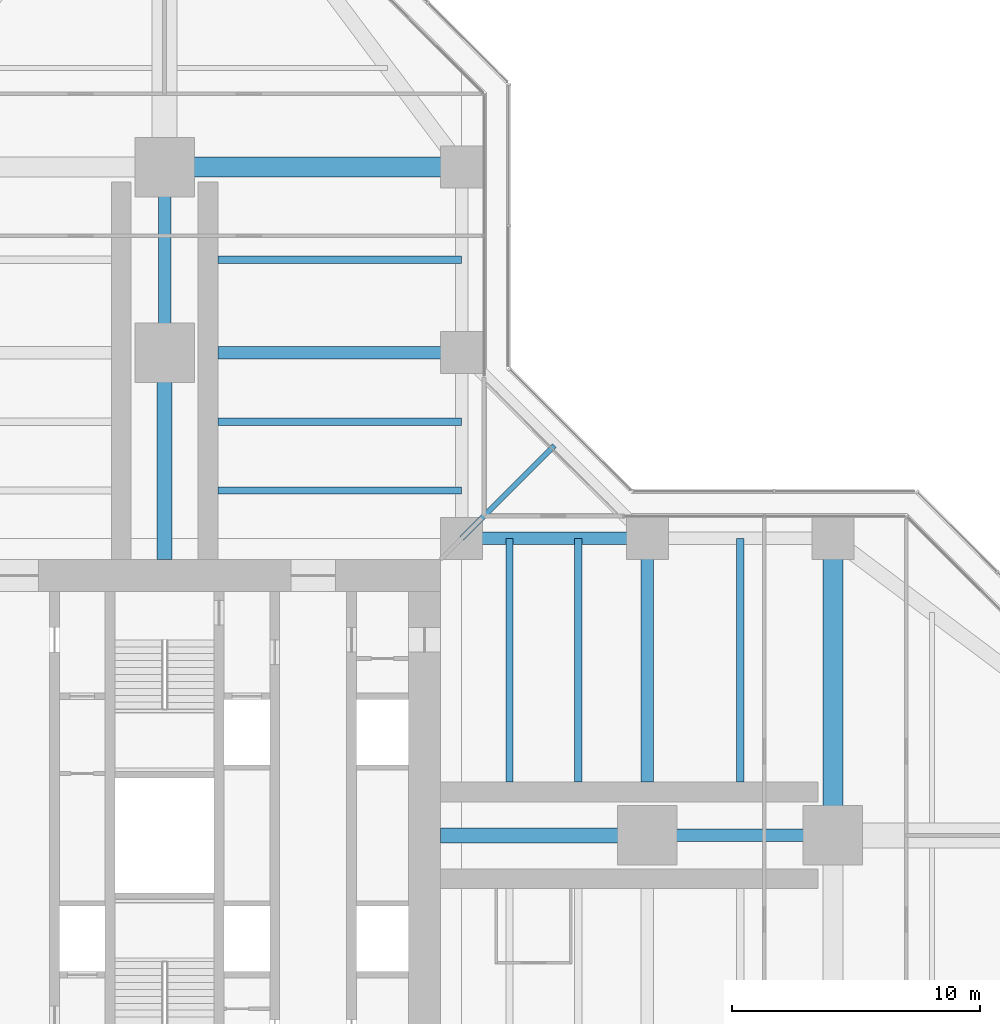
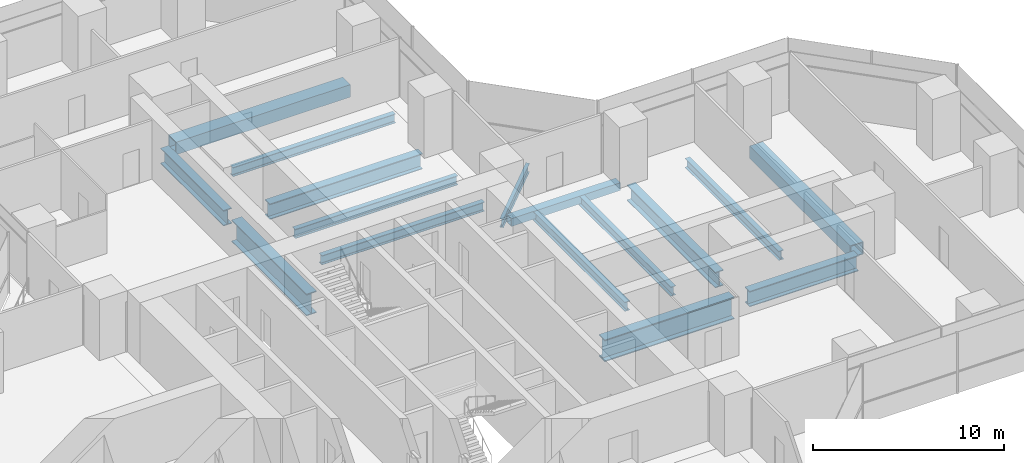
# One storey, part 10 of 22: 16 beams.
"""IFC4 building model written with IfcOpenShell, lengths in metres."""

import ifcopenshell
import ifcopenshell.guid

model = None  # the IFC model being written
_history = None  # IfcOwnerHistory: only IFC2X3 demands one
_inside = {}  # id of a spatial element -> (the spatial element, [elements in it])
_under = {}  # id of a project, library or spatial element -> (it, [spatial elements below it])
_declared = {}  # id of a project -> (the project, [libraries it declares])
_typed = {}  # id of a type object -> (the type object, [elements of that type])
_made_of = {}  # id of a material, layer set ... -> (it, [elements and type objects made of it])


def new_model(schema):
    """Start an empty IFC model of exactly this schema.

    Asked for "IFC4X3", IfcOpenShell would pick the latest addendum, in which some entities
    have other attributes; the version numbers below select the first issue.
    IFC2X3 requires an IfcOwnerHistory on every rooted entity: one is made here for all.
    """
    global model, _history
    if schema == "IFC4X3":
        model = ifcopenshell.file(schema_version=(4, 3, 0, 0))
    else:
        model = ifcopenshell.file(schema=schema)
    _inside.clear()
    _under.clear()
    _declared.clear()
    _typed.clear()
    _made_of.clear()
    _history = None
    if model.schema == "IFC2X3":
        org = make("IfcOrganization", Name="unknown")
        user = make(
            "IfcPersonAndOrganization",
            ThePerson=make("IfcPerson", FamilyName="unknown"),
            TheOrganization=org,
        )
        app = make(
            "IfcApplication",
            ApplicationDeveloper=org,
            Version="unknown",
            ApplicationFullName="unknown",
            ApplicationIdentifier="unknown",
        )
        _history = make(
            "IfcOwnerHistory",
            OwningUser=user,
            OwningApplication=app,
            ChangeAction="ADDED",
            CreationDate=0,
        )
    return model


def make(cls, **values):
    """One entity of the class cls with the attributes given. An attribute that is None is left unset."""
    return model.create_entity(
        cls, **{name: value for name, value in values.items() if value is not None}
    )


def rooted(cls, **values):
    """An entity with a GlobalId (a new one), such as an element, a storey or a relation."""
    return make(cls, GlobalId=ifcopenshell.guid.new(), OwnerHistory=_history, **values)


def si_unit(unit_type, name, prefix=None):
    """IfcSIUnit, for example si_unit("LENGTHUNIT", "METRE", prefix="MILLI")."""
    return make("IfcSIUnit", UnitType=unit_type, Prefix=prefix, Name=name)


def assignment(units):
    """IfcUnitAssignment: the units of a project."""
    return None if units is None else make("IfcUnitAssignment", Units=units)


def point(xyz):
    """IfcCartesianPoint."""
    return None if xyz is None else make("IfcCartesianPoint", Coordinates=xyz)


def direction(xyz):
    """IfcDirection."""
    return None if xyz is None else make("IfcDirection", DirectionRatios=xyz)


def frame(location, z_axis=None, x_axis=None):
    """IfcAxis2Placement3D, a coordinate frame: its origin and axes. An axis left out is left unset."""
    return make(
        "IfcAxis2Placement3D",
        Location=point(location),
        Axis=direction(z_axis),
        RefDirection=direction(x_axis),
    )


def frame_2d(location, x_axis=None):
    """IfcAxis2Placement2D, a coordinate frame in the plane: its origin and x axis."""
    return make(
        "IfcAxis2Placement2D", Location=point(location), RefDirection=direction(x_axis)
    )


def origin():
    """The frame at (0, 0, 0) with its axes left unset."""
    return frame((0.0, 0.0, 0.0))


def origin_2d():
    """The frame at (0, 0) in the plane with its x axis left unset."""
    return frame_2d((0.0, 0.0))


def place(relative_to, where):
    """IfcLocalPlacement: puts the frame where relative to a parent placement (None: the world)."""
    return make(
        "IfcLocalPlacement", PlacementRelTo=relative_to, RelativePlacement=where
    )


def context(
    kind, dimensions, precision=None, world=None, true_north=None, identifier=None
):
    """IfcGeometricRepresentationContext, for example the 3D "Model" context."""
    return make(
        "IfcGeometricRepresentationContext",
        ContextIdentifier=identifier,
        ContextType=kind,
        CoordinateSpaceDimension=dimensions,
        Precision=precision,
        WorldCoordinateSystem=world,
        TrueNorth=true_north,
    )


def subcontext(parent, identifier, kind, view, scale=None):
    """IfcGeometricRepresentationSubContext, for example "Body" below "Model"."""
    return make(
        "IfcGeometricRepresentationSubContext",
        ContextIdentifier=identifier,
        ContextType=kind,
        ParentContext=parent,
        TargetScale=scale,
        TargetView=view,
    )


def project(units=None, contexts=None):
    """IfcProject with its units and contexts."""
    return rooted(
        "IfcProject",
        Name="project",
        RepresentationContexts=contexts,
        UnitsInContext=assignment(units),
    )


def spatial(cls, under=None, at=None, **own):
    """A site, building, storey or space (cls), placed at a placement, below another one or the project."""
    s = rooted(cls, ObjectPlacement=at, **own)
    if under is not None:
        _under.setdefault(under.id(), (under, []))[1].append(s)
    return s


def profile(cls, at=None, kind="AREA", **sizes):
    """A parametric profile (cls). Its sizes go by their IFC names, for example OverallWidth=200.0."""
    return make(cls, ProfileType=kind, Position=at, **sizes)


def hollow_rectangle(**sizes):
    """IfcRectangleHollowProfileDef."""
    return profile("IfcRectangleHollowProfileDef", **sizes)


def i_section(**sizes):
    """IfcIShapeProfileDef."""
    return profile("IfcIShapeProfileDef", **sizes)


def extrude(swept, where, along, depth):
    """IfcExtrudedAreaSolid: the profile swept, set in the frame where, extruded along a direction by depth."""
    return make(
        "IfcExtrudedAreaSolid",
        SweptArea=swept,
        Position=where,
        ExtrudedDirection=direction(along),
        Depth=depth,
    )


def shape(context_of_items, identifier, shape_type, items):
    """IfcShapeRepresentation: the items that make up one representation, for example the "Body"."""
    return make(
        "IfcShapeRepresentation",
        ContextOfItems=context_of_items,
        RepresentationIdentifier=identifier,
        RepresentationType=shape_type,
        Items=items,
    )


def material(Name=None, Category=None):
    """IfcMaterial."""
    return make("IfcMaterial", Name=Name, Category=Category)


def material_profile(
    of_material, cross_section, Name=None, Category=None, Priority=None
):
    """IfcMaterialProfile: a cross section and its material."""
    return make(
        "IfcMaterialProfile",
        Name=Name,
        Material=of_material,
        Profile=cross_section,
        Priority=Priority,
        Category=Category,
    )


def profile_set(profiles, Name=None, composite=None):
    """IfcMaterialProfileSet."""
    return make(
        "IfcMaterialProfileSet",
        Name=Name,
        MaterialProfiles=profiles,
        CompositeProfile=composite,
    )


def made_of(thing, what):
    """Note that an element or type object is made of a material, layer set ...; save() writes the relation."""
    if what is not None:
        _made_of.setdefault(what.id(), (what, []))[1].append(thing)
    return thing


def type_object(cls, material=None, **own):
    """A type object (cls), such as IfcWallType, which elements share."""
    return made_of(rooted(cls, **own), material)


def element(
    cls,
    number,
    at=None,
    inside=None,
    cuts=None,
    type_object=None,
    material=None,
    context=None,
    identifier="Body",
    shape_type=None,
    held_by="IfcProductDefinitionShape",
    body=None,
    shapes=None,
    **own,
):
    """One element of the class cls, such as IfcWall. Its Tag is "e" and its number.

    at: its placement. inside: the storey or other place that contains it. cuts: it is an
    opening in that element (IfcRelVoidsElement). A single representation is given by context,
    identifier, shape_type and body (its items); several are given by shapes. held_by: the class
    of the entity that holds the representations. save() writes the other relations.
    """
    e = rooted(cls, Tag="e%d" % number, ObjectPlacement=at, **own)
    if body is not None:
        shapes = [shape(context, identifier, shape_type, body)]
    if shapes is not None:
        e.Representation = make(held_by, Representations=shapes)
    if inside is not None:
        _inside.setdefault(inside.id(), (inside, []))[1].append(e)
    if cuts is not None:
        rooted(
            "IfcRelVoidsElement", RelatingBuildingElement=cuts, RelatedOpeningElement=e
        )
    if type_object is not None:
        _typed.setdefault(type_object.id(), (type_object, []))[1].append(e)
    return made_of(e, material)


def aggregate(whole, parts):
    """IfcRelAggregates: a whole, such as a stair, and the parts it consists of."""
    return rooted("IfcRelAggregates", RelatingObject=whole, RelatedObjects=parts)


def save(model, path):
    """Write the relations noted so far, then the file.

    IfcRelAggregates (storeys below a building ...), IfcRelContainedInSpatialStructure (elements
    in a storey), IfcRelDefinesByType, IfcRelAssociatesMaterial and IfcRelDeclares: one each for
    every whole, place, type object, material and project.
    """
    for whole, parts in _under.values():
        aggregate(whole, parts)
    for where, things in _inside.values():
        rooted(
            "IfcRelContainedInSpatialStructure",
            RelatedElements=things,
            RelatingStructure=where,
        )
    for kind, things in _typed.values():
        rooted("IfcRelDefinesByType", RelatedObjects=things, RelatingType=kind)
    for what, things in _made_of.values():
        rooted("IfcRelAssociatesMaterial", RelatedObjects=things, RelatingMaterial=what)
    for by, libraries in _declared.values():
        rooted("IfcRelDeclares", RelatingContext=by, RelatedDefinitions=libraries)
    model.write(path)


model = new_model("IFC4")

# Units and contexts
model_context = context("Model", 3, precision=1e-05, world=origin(), true_north=direction((0.0, 1.0)))
body_context = subcontext(model_context, "Body", "Model", "MODEL_VIEW")
ifc_project = project(units=[si_unit("LENGTHUNIT", "METRE"), si_unit("AREAUNIT", "SQUARE_METRE"), si_unit("VOLUMEUNIT", "CUBIC_METRE"), si_unit("PLANEANGLEUNIT", "RADIAN"), si_unit("MASSUNIT", "GRAM", prefix="KILO")], contexts=[model_context])

# Site, building, storey
site_placement = place(None, origin())
site = spatial("IfcSite", under=ifc_project, at=site_placement, CompositionType="ELEMENT")
building_placement = place(site_placement, origin())
building = spatial("IfcBuilding", under=site, at=building_placement, Name="Mizan Broadcast Tower", CompositionType="ELEMENT")
storey_placement = place(building_placement, frame((0.0, 0.0, 102.0)))
storey = spatial("IfcBuildingStorey", under=building, at=storey_placement, Name="L22", CompositionType="ELEMENT", Elevation=102.0)

# Beams
ifc_material_1 = material(Name="Steel S355", Category="steel")
ifc_material_profile_1 = material_profile(ifc_material_1, hollow_rectangle(XDim=0.5, YDim=0.5, WallThickness=0.030029296875, at=origin_2d()), Name="BOX 500x500x30")
ifc_profile_set_1 = profile_set([ifc_material_profile_1], Name="Steel S355")
beam_type_1 = type_object("IfcBeamType", Name="EDGE BEAM BOX 500x500x30", PredefinedType="SPANDREL", material=ifc_profile_set_1)
beam_1_placement = place(storey_placement, frame((12.449951171875, 12.0, -0.3798828125), z_axis=(1.0, 0.0, 0.0), x_axis=(0.0, 1.0, 0.0)))
element("IfcBeam", 1, at=beam_1_placement, inside=storey, type_object=beam_type_1, Name="Edge beam BOX 500x500x30 L22 east arm", PredefinedType="SPANDREL", context=body_context, shape_type="SweptSolid", body=[
    extrude(hollow_rectangle(XDim=0.5, YDim=0.5, WallThickness=0.030029296875, at=origin_2d()), origin(), (0.0, 0.0, 1.0), 6.60009765625),
])
ifc_material_2 = material(Name="Steel S460", Category="steel")
ifc_material_profile_2 = material_profile(ifc_material_2, hollow_rectangle(XDim=0.800048828125, YDim=0.800048828125, WallThickness=0.050048828125, at=origin_2d()), Name="BOX 800x800x50")
ifc_profile_set_2 = profile_set([ifc_material_profile_2], Name="Steel S460")
beam_type_2 = type_object("IfcBeamType", Name="GIRDER BOX 800x800x50", PredefinedType="BEAM", material=ifc_profile_set_2)
for number, where, z_axis, x_axis, name in (
    (2, (27.0, 11.280029296875, -0.530029296875), (0.0, -1.0, 0.0), (1.0, 0.0, 0.0), "Girder BOX 800x800x50 L22 east arm"),
    (3, (11.280029296875, 27.0, -0.530029296875), (-1.0, 0.0, 0.0), (0.0, -1.0, 0.0), "Girder BOX 800x800x50 L22 north arm"),
):
    element("IfcBeam", number, at=place(storey_placement, frame(where, z_axis=z_axis, x_axis=x_axis)), inside=storey, type_object=beam_type_2, Name=name, PredefinedType="BEAM", context=body_context, shape_type="SweptSolid", body=[
        extrude(hollow_rectangle(XDim=0.800048828125, YDim=0.800048828125, WallThickness=0.050048828125, at=origin_2d()), origin(), (0.0, 0.0, 1.0), 10.56005859375),
    ])
ifc_material_3 = material(Name="Steel S460", Category="steel")
ifc_material_profile_3 = material_profile(ifc_material_3, i_section(OverallWidth=0.5, OverallDepth=1.0, WebThickness=0.02490234375, FlangeThickness=0.050048828125, at=origin_2d()), Name="WPG 1000x500")
ifc_profile_set_3 = profile_set([ifc_material_profile_3], Name="Steel S460")
beam_type_3 = type_object("IfcBeamType", Name="GIRDER WPG 1000x500", PredefinedType="BEAM", material=ifc_profile_set_3)
beam_2_placement = place(storey_placement, frame((19.949951171875, 0.0, -0.6298828125), z_axis=(1.0, 0.0, 0.0), x_axis=(0.0, 1.0, 0.0)))
element("IfcBeam", 4, at=beam_2_placement, inside=storey, type_object=beam_type_3, Name="Girder WPG 1000x500 L22 east arm", PredefinedType="BEAM", context=body_context, shape_type="SweptSolid", body=[
    extrude(i_section(OverallWidth=0.5, OverallDepth=1.0, WebThickness=0.02490234375, FlangeThickness=0.050048828125, at=origin_2d()), origin(), (0.0, 0.0, 1.0), 6.60009765625),
])
beam_3_placement = place(storey_placement, frame((19.5, 11.408935546875, -0.6298828125), z_axis=(0.0, -1.0, 0.0), x_axis=(1.0, 0.0, 0.0)))
element("IfcBeam", 5, at=beam_3_placement, inside=storey, type_object=beam_type_3, Name="Girder WPG 1000x500 L22 east arm", PredefinedType="BEAM", context=body_context, shape_type="SweptSolid", body=[
    extrude(i_section(OverallWidth=0.5, OverallDepth=1.0, WebThickness=0.02490234375, FlangeThickness=0.050048828125, at=origin_2d()), origin(), (0.0, 0.0, 1.0), 9.259033203125),
])
beam_4_placement = place(storey_placement, frame((0.0, 19.949951171875, -0.6298828125), z_axis=(0.0, 1.0, 0.0), x_axis=(-1.0, 0.0, 0.0)))
element("IfcBeam", 6, at=beam_4_placement, inside=storey, type_object=beam_type_3, Name="Girder WPG 1000x500 L22 north arm", PredefinedType="BEAM", context=body_context, shape_type="SweptSolid", body=[
    extrude(i_section(OverallWidth=0.5, OverallDepth=1.0, WebThickness=0.02490234375, FlangeThickness=0.050048828125, at=origin_2d()), origin(), (0.0, 0.0, 1.0), 6.60009765625),
])
beam_5_placement = place(storey_placement, frame((11.408935546875, 19.5, -0.6298828125), z_axis=(-1.0, 0.0, 0.0), x_axis=(0.0, -1.0, 0.0)))
element("IfcBeam", 7, at=beam_5_placement, inside=storey, type_object=beam_type_3, Name="Girder WPG 1000x500 L22 north arm", PredefinedType="BEAM", context=body_context, shape_type="SweptSolid", body=[
    extrude(i_section(OverallWidth=0.5, OverallDepth=1.0, WebThickness=0.02490234375, FlangeThickness=0.050048828125, at=origin_2d()), origin(), (0.0, 0.0, 1.0), 9.259033203125),
])
ifc_material_4 = material(Name="Steel S460", Category="steel")
ifc_material_profile_4 = material_profile(ifc_material_4, i_section(OverallWidth=0.60009765625, OverallDepth=1.39990234375, WebThickness=0.02490234375, FlangeThickness=0.06005859375, at=origin_2d()), Name="WPG 1400x600")
ifc_profile_set_4 = profile_set([ifc_material_profile_4], Name="Steel S460")
beam_type_4 = type_object("IfcBeamType", Name="GIRDER WPG 1400x600", PredefinedType="BEAM", material=ifc_profile_set_4)
for number, where, z_axis, x_axis, name in (
    (8, (11.14990234375, 0.0, -0.830078125), (1.0, 0.0, 0.0), (0.0, 1.0, 0.0), "Girder WPG 1400x600 L22 east arm"),
    (9, (0.0, 11.14990234375, -0.830078125), (0.0, 1.0, 0.0), (-1.0, 0.0, 0.0), "Girder WPG 1400x600 L22 north arm"),
):
    element("IfcBeam", number, at=place(storey_placement, frame(where, z_axis=z_axis, x_axis=x_axis)), inside=storey, type_object=beam_type_4, Name=name, PredefinedType="BEAM", context=body_context, shape_type="SweptSolid", body=[
        extrude(i_section(OverallWidth=0.60009765625, OverallDepth=1.39990234375, WebThickness=0.02490234375, FlangeThickness=0.06005859375, at=origin_2d()), origin(), (0.0, 0.0, 1.0), 7.84912109375),
    ])
ifc_material_5 = material(Name="Steel S355", Category="steel")
ifc_material_profile_5 = material_profile(ifc_material_5, i_section(OverallWidth=0.300048828125, OverallDepth=0.590087890625, WebThickness=0.012939453125, FlangeThickness=0.02490234375, FilletRadius=0.027099609375, at=origin_2d()), Name="HEA 600")
ifc_profile_set_5 = profile_set([ifc_material_profile_5], Name="Steel S355")
beam_type_5 = type_object("IfcBeamType", Name="SECONDARY BEAM HEA 600", PredefinedType="JOIST", material=ifc_profile_set_5)
for number, where, z_axis, x_axis, name in (
    (10, (13.933349609375, 12.0, -0.425048828125), (0.0, -1.0, 0.0), (1.0, 0.0, 0.0), "Secondary beam HEA 600 L22 east arm"),
    (11, (16.716552734375, 12.0, -0.425048828125), (0.0, -1.0, 0.0), (1.0, 0.0, 0.0), "Secondary beam HEA 600 L22 east arm"),
    (12, (23.25, 12.0, -0.425048828125), (0.0, -1.0, 0.0), (1.0, 0.0, 0.0), "Secondary beam HEA 600 L22 east arm"),
    (13, (12.0, 13.933349609375, -0.425048828125), (-1.0, 0.0, 0.0), (0.0, -1.0, 0.0), "Secondary beam HEA 600 L22 north arm"),
    (14, (12.0, 16.716552734375, -0.425048828125), (-1.0, 0.0, 0.0), (0.0, -1.0, 0.0), "Secondary beam HEA 600 L22 north arm"),
    (15, (12.0, 23.25, -0.425048828125), (-1.0, 0.0, 0.0), (0.0, -1.0, 0.0), "Secondary beam HEA 600 L22 north arm"),
):
    element("IfcBeam", number, at=place(storey_placement, frame(where, z_axis=z_axis, x_axis=x_axis)), inside=storey, type_object=beam_type_5, Name=name, PredefinedType="JOIST", context=body_context, shape_type="SweptSolid", body=[
        extrude(i_section(OverallWidth=0.300048828125, OverallDepth=0.590087890625, WebThickness=0.012939453125, FlangeThickness=0.02490234375, FilletRadius=0.027099609375, at=origin_2d()), origin(), (0.0, 0.0, 1.0), 9.85009765625),
    ])
ifc_material_6 = material(Name="Steel S355", Category="steel")
ifc_material_profile_6 = material_profile(ifc_material_6, i_section(OverallWidth=0.2099609375, OverallDepth=0.550048828125, WebThickness=0.010986328125, FlangeThickness=0.01708984375, FilletRadius=0.02392578125, at=origin_2d()), Name="IPE 550")
ifc_profile_set_6 = profile_set([ifc_material_profile_6], Name="Steel S355")
beam_type_6 = type_object("IfcBeamType", Name="SECONDARY BEAM IPE 550", PredefinedType="JOIST", material=ifc_profile_set_6)
beam_6_placement = place(storey_placement, frame((12.0, 12.0, -0.405029296875), z_axis=(0.707106781187, 0.707106781187, 0.0), x_axis=(-0.707106781187, 0.707106781187, 0.0)))
element("IfcBeam", 16, at=beam_6_placement, inside=storey, type_object=beam_type_6, Name="Winter garden beam L22 E", PredefinedType="JOIST", context=body_context, shape_type="SweptSolid", body=[
    extrude(i_section(OverallWidth=0.2099609375, OverallDepth=0.550048828125, WebThickness=0.010986328125, FlangeThickness=0.01708984375, FilletRadius=0.02392578125, at=origin_2d()), origin(), (0.0, 0.0, 1.0), 5.30322265625),
])

save(model, "model.ifc")
